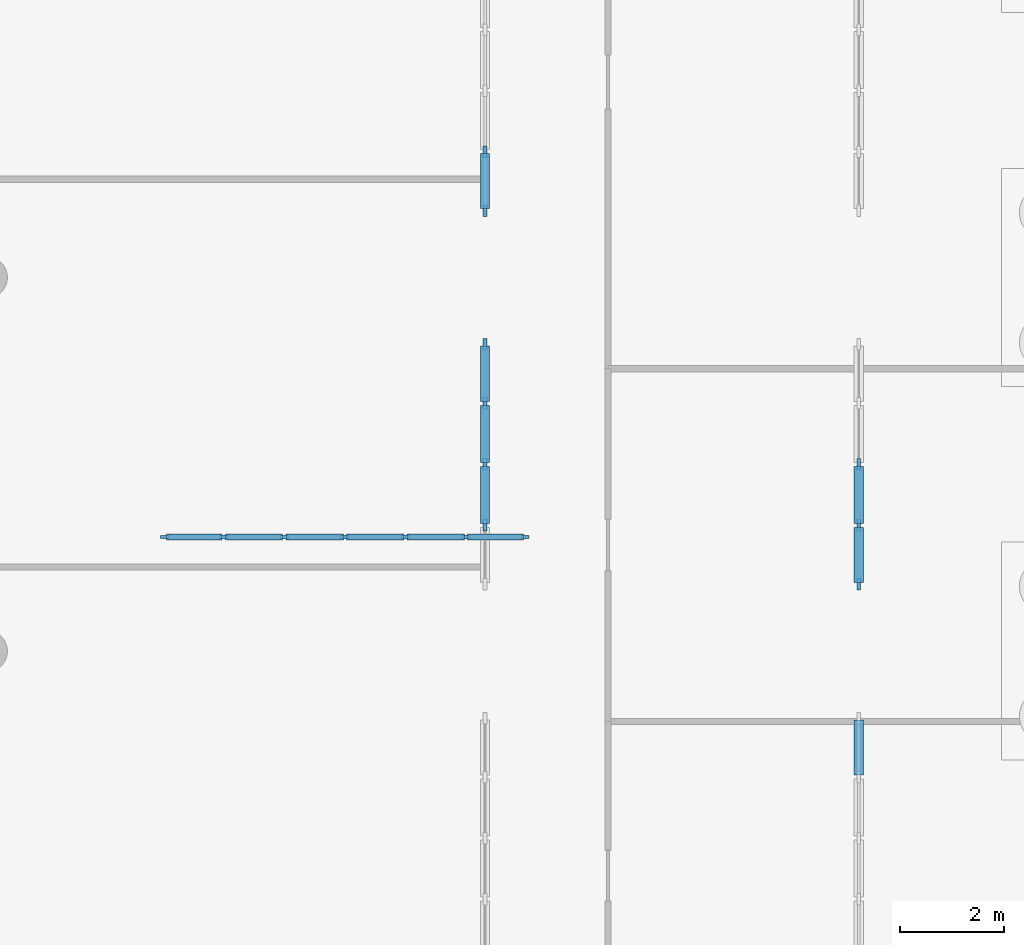
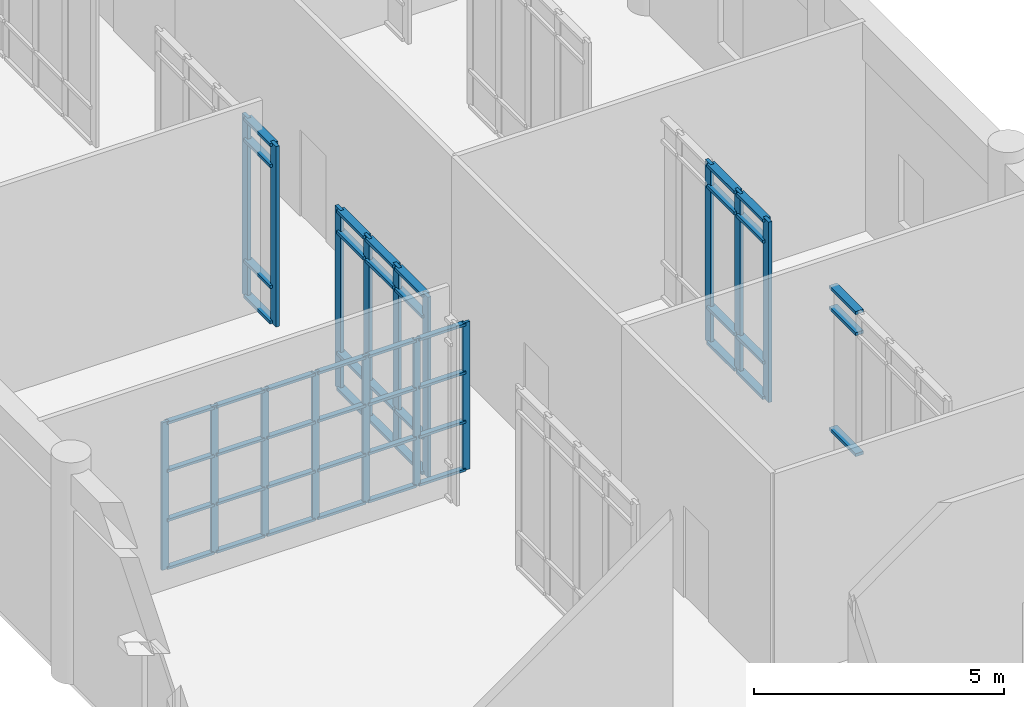
# One storey, part 19 of 100: 67 members, 5 elements without a shape of their own.
"""IFC4 building model written with IfcOpenShell, lengths in metres."""

from ifc_helpers import new_model, si_unit, direction, frame, origin, origin_2d, place, context, subcontext, project, spatial, rectangle, extrude, material, material_profile, profile_set, type_object, element, aggregate, save


model = new_model("IFC4")

# Units and contexts
model_context = context("Model", 3, precision=1e-05, world=origin(), true_north=direction((0.0, 1.0)))
body_context = subcontext(model_context, "Body", "Model", "MODEL_VIEW")
ifc_project = project(units=[si_unit("LENGTHUNIT", "METRE"), si_unit("AREAUNIT", "SQUARE_METRE"), si_unit("VOLUMEUNIT", "CUBIC_METRE"), si_unit("PLANEANGLEUNIT", "RADIAN"), si_unit("MASSUNIT", "GRAM", prefix="KILO")], contexts=[model_context])

# Site, building, storey
site_placement = place(None, origin())
site = spatial("IfcSite", under=ifc_project, at=site_placement, CompositionType="ELEMENT")
building_placement = place(site_placement, origin())
building = spatial("IfcBuilding", under=site, at=building_placement, Name="Mithqara Police Headquarters", CompositionType="ELEMENT")
storey_placement = place(building_placement, origin())
storey = spatial("IfcBuildingStorey", under=building, at=storey_placement, Name="L00", CompositionType="ELEMENT", Elevation=0.0)

# Curtain wall, members
ifc_material = material(Name="Bronze anodised aluminium 6063-T6", Category="aluminium")
curtain_wall_type_1 = type_object("IfcCurtainWallType", Name="CURTAIN WALL 7000X3600", PredefinedType="USERDEFINED", material=ifc_material)
curtain_wall_1_placement = place(storey_placement, origin())
curtain_wall_1 = element("IfcCurtainWall", 1, at=curtain_wall_1_placement, inside=storey, type_object=curtain_wall_type_1, Name="L00 Unitised Glazing CW-17 (CW-INT-L00-HALL-SCR-01)", ObjectType="UNITISED GLAZING", PredefinedType="USERDEFINED")
ifc_material_profile_1 = material_profile(ifc_material, rectangle(XDim=0.06005859375, YDim=0.159912109375, at=origin_2d()), Name="CWM 60x160")
ifc_profile_set_1 = profile_set([ifc_material_profile_1], Name="Bronze anodised aluminium 6063-T6")
member_type_1 = type_object("IfcMemberType", Name="CWMULLION 60X160", PredefinedType="MULLION", material=ifc_profile_set_1)
member_1_placement = place(storey_placement, frame((76.030029296875, 52.0, 0.0), z_axis=(0.0, 0.0, 1.0), x_axis=(0.0, 1.0, 0.0)))
member_1 = element("IfcMember", 2, at=member_1_placement, type_object=member_type_1, Name="CW-17 mullion 1", PredefinedType="MULLION", context=body_context, shape_type="SweptSolid", body=[
    extrude(rectangle(XDim=0.06005859375, YDim=0.159912109375, at=origin_2d()), origin(), (0.0, 0.0, 1.0), 3.60009765625),
])
member_2_placement = place(storey_placement, frame((77.166748046875, 52.0, 0.0), z_axis=(0.0, 0.0, 1.0), x_axis=(0.0, 1.0, 0.0)))
member_2 = element("IfcMember", 3, at=member_2_placement, type_object=member_type_1, Name="CW-17 mullion 2", PredefinedType="MULLION", context=body_context, shape_type="SweptSolid", body=[
    extrude(rectangle(XDim=0.06005859375, YDim=0.159912109375, at=origin_2d()), origin(), (0.0, 0.0, 1.0), 3.60009765625),
])
member_3_placement = place(storey_placement, frame((78.333251953125, 52.0, 0.0), z_axis=(0.0, 0.0, 1.0), x_axis=(0.0, 1.0, 0.0)))
member_3 = element("IfcMember", 4, at=member_3_placement, type_object=member_type_1, Name="CW-17 mullion 3", PredefinedType="MULLION", context=body_context, shape_type="SweptSolid", body=[
    extrude(rectangle(XDim=0.06005859375, YDim=0.159912109375, at=origin_2d()), origin(), (0.0, 0.0, 1.0), 3.60009765625),
])
member_4_placement = place(storey_placement, frame((79.5, 52.0, 0.0), z_axis=(0.0, 0.0, 1.0), x_axis=(0.0, 1.0, 0.0)))
member_4 = element("IfcMember", 5, at=member_4_placement, type_object=member_type_1, Name="CW-17 mullion 4", PredefinedType="MULLION", context=body_context, shape_type="SweptSolid", body=[
    extrude(rectangle(XDim=0.06005859375, YDim=0.159912109375, at=origin_2d()), origin(), (0.0, 0.0, 1.0), 3.60009765625),
])
member_5_placement = place(storey_placement, frame((80.666748046875, 52.0, 0.0), z_axis=(0.0, 0.0, 1.0), x_axis=(0.0, 1.0, 0.0)))
member_5 = element("IfcMember", 6, at=member_5_placement, type_object=member_type_1, Name="CW-17 mullion 5", PredefinedType="MULLION", context=body_context, shape_type="SweptSolid", body=[
    extrude(rectangle(XDim=0.06005859375, YDim=0.159912109375, at=origin_2d()), origin(), (0.0, 0.0, 1.0), 3.60009765625),
])
member_6_placement = place(storey_placement, frame((81.833251953125, 52.0, 0.0), z_axis=(0.0, 0.0, 1.0), x_axis=(0.0, 1.0, 0.0)))
member_6 = element("IfcMember", 7, at=member_6_placement, type_object=member_type_1, Name="CW-17 mullion 6", PredefinedType="MULLION", context=body_context, shape_type="SweptSolid", body=[
    extrude(rectangle(XDim=0.06005859375, YDim=0.159912109375, at=origin_2d()), origin(), (0.0, 0.0, 1.0), 3.60009765625),
])
member_7_placement = place(storey_placement, frame((82.969970703125, 52.0, 0.0), z_axis=(0.0, 0.0, 1.0), x_axis=(0.0, 1.0, 0.0)))
member_7 = element("IfcMember", 8, at=member_7_placement, type_object=member_type_1, Name="CW-17 mullion 7", PredefinedType="MULLION", context=body_context, shape_type="SweptSolid", body=[
    extrude(rectangle(XDim=0.06005859375, YDim=0.159912109375, at=origin_2d()), origin(), (0.0, 0.0, 1.0), 3.60009765625),
])

curtain_wall_type_2 = type_object("IfcCurtainWallType", Name="CURTAIN WALL 4700X4400", PredefinedType="USERDEFINED", material=ifc_material)
curtain_wall_2_placement = place(storey_placement, origin())
curtain_wall_2 = element("IfcCurtainWall", 9, at=curtain_wall_2_placement, inside=storey, type_object=curtain_wall_type_2, Name="L00 Unitised Glazing CW-14 (CW-INT-L00-X11-Y07-0)", ObjectType="UNITISED GLAZING", PredefinedType="USERDEFINED")
ifc_material_profile_2 = material_profile(ifc_material, rectangle(XDim=0.074951171875, YDim=0.219970703125, at=origin_2d()), Name="CWM 75x220")
ifc_profile_set_2 = profile_set([ifc_material_profile_2], Name="Bronze anodised aluminium 6063-T6")
member_type_2 = type_object("IfcMemberType", Name="CWMULLION 75X220", PredefinedType="MULLION", material=ifc_profile_set_2)
member_8_placement = place(storey_placement, frame((82.199951171875, 52.22509765625, 0.0), z_axis=(0.0, 0.0, 1.0), x_axis=(-1.0, 0.0, 0.0)))
member_8 = element("IfcMember", 10, at=member_8_placement, type_object=member_type_2, Name="CW-14 mullion 2", PredefinedType="MULLION", context=body_context, shape_type="SweptSolid", body=[
    extrude(rectangle(XDim=0.074951171875, YDim=0.219970703125, at=origin_2d()), origin(), (0.0, 0.0, 1.0), 4.39990234375),
])
member_9_placement = place(storey_placement, frame((82.199951171875, 53.39990234375, 0.0), z_axis=(0.0, 0.0, 1.0), x_axis=(-1.0, 0.0, 0.0)))
member_9 = element("IfcMember", 11, at=member_9_placement, type_object=member_type_2, Name="CW-14 mullion 3", PredefinedType="MULLION", context=body_context, shape_type="SweptSolid", body=[
    extrude(rectangle(XDim=0.074951171875, YDim=0.219970703125, at=origin_2d()), origin(), (0.0, 0.0, 1.0), 4.39990234375),
])
member_10_placement = place(storey_placement, frame((82.199951171875, 54.574951171875, 0.0), z_axis=(0.0, 0.0, 1.0), x_axis=(-1.0, 0.0, 0.0)))
member_10 = element("IfcMember", 12, at=member_10_placement, type_object=member_type_2, Name="CW-14 mullion 4", PredefinedType="MULLION", context=body_context, shape_type="SweptSolid", body=[
    extrude(rectangle(XDim=0.074951171875, YDim=0.219970703125, at=origin_2d()), origin(), (0.0, 0.0, 1.0), 4.39990234375),
])
member_11_placement = place(storey_placement, frame((82.199951171875, 55.71240234375, 0.0), z_axis=(0.0, 0.0, 1.0), x_axis=(-1.0, 0.0, 0.0)))
member_11 = element("IfcMember", 13, at=member_11_placement, type_object=member_type_2, Name="CW-14 mullion 5", PredefinedType="MULLION", context=body_context, shape_type="SweptSolid", body=[
    extrude(rectangle(XDim=0.074951171875, YDim=0.219970703125, at=origin_2d()), origin(), (0.0, 0.0, 1.0), 4.39990234375),
])

curtain_wall_3_placement = place(storey_placement, origin())
curtain_wall_3 = element("IfcCurtainWall", 14, at=curtain_wall_3_placement, inside=storey, type_object=curtain_wall_type_2, Name="L00 Unitised Glazing CW-14 (CW-INT-L00-X11-Y08-0)", ObjectType="UNITISED GLAZING", PredefinedType="USERDEFINED")
member_12_placement = place(storey_placement, frame((82.199951171875, 58.28759765625, 0.0), z_axis=(0.0, 0.0, 1.0), x_axis=(-1.0, 0.0, 0.0)))
member_12 = element("IfcMember", 15, at=member_12_placement, type_object=member_type_2, Name="CW-14 mullion 1", PredefinedType="MULLION", context=body_context, shape_type="SweptSolid", body=[
    extrude(rectangle(XDim=0.074951171875, YDim=0.219970703125, at=origin_2d()), origin(), (0.0, 0.0, 1.0), 4.39990234375),
])
member_13_placement = place(storey_placement, frame((82.199951171875, 59.425048828125, 0.0), z_axis=(0.0, 0.0, 1.0), x_axis=(-1.0, 0.0, 0.0)))
member_13 = element("IfcMember", 16, at=member_13_placement, type_object=member_type_2, Name="CW-14 mullion 2", PredefinedType="MULLION", context=body_context, shape_type="SweptSolid", body=[
    extrude(rectangle(XDim=0.074951171875, YDim=0.219970703125, at=origin_2d()), origin(), (0.0, 0.0, 1.0), 4.39990234375),
])

curtain_wall_4_placement = place(storey_placement, origin())
curtain_wall_4 = element("IfcCurtainWall", 17, at=curtain_wall_4_placement, inside=storey, type_object=curtain_wall_type_2, Name="L00 Unitised Glazing CW-14 (CW-INT-L00-X12-Y07-0)", ObjectType="UNITISED GLAZING", PredefinedType="USERDEFINED")
member_14_placement = place(storey_placement, frame((89.39990234375, 51.08740234375, 0.0), z_axis=(0.0, 0.0, 1.0), x_axis=(-1.0, 0.0, 0.0)))
member_14 = element("IfcMember", 18, at=member_14_placement, type_object=member_type_2, Name="CW-14 mullion 1", PredefinedType="MULLION", context=body_context, shape_type="SweptSolid", body=[
    extrude(rectangle(XDim=0.074951171875, YDim=0.219970703125, at=origin_2d()), origin(), (0.0, 0.0, 1.0), 4.39990234375),
])
member_15_placement = place(storey_placement, frame((89.39990234375, 52.22509765625, 0.0), z_axis=(0.0, 0.0, 1.0), x_axis=(-1.0, 0.0, 0.0)))
member_15 = element("IfcMember", 19, at=member_15_placement, type_object=member_type_2, Name="CW-14 mullion 2", PredefinedType="MULLION", context=body_context, shape_type="SweptSolid", body=[
    extrude(rectangle(XDim=0.074951171875, YDim=0.219970703125, at=origin_2d()), origin(), (0.0, 0.0, 1.0), 4.39990234375),
])
member_16_placement = place(storey_placement, frame((89.39990234375, 53.39990234375, 0.0), z_axis=(0.0, 0.0, 1.0), x_axis=(-1.0, 0.0, 0.0)))
member_16 = element("IfcMember", 20, at=member_16_placement, type_object=member_type_2, Name="CW-14 mullion 3", PredefinedType="MULLION", context=body_context, shape_type="SweptSolid", body=[
    extrude(rectangle(XDim=0.074951171875, YDim=0.219970703125, at=origin_2d()), origin(), (0.0, 0.0, 1.0), 4.39990234375),
])

# Member
ifc_material_profile_3 = material_profile(ifc_material, rectangle(XDim=0.1201171875, YDim=0.06005859375, at=origin_2d()), Name="CWT 120x60")
ifc_profile_set_3 = profile_set([ifc_material_profile_3], Name="Bronze anodised aluminium 6063-T6")
member_type_3 = type_object("IfcMemberType", Name="CWTRANSOM 120X60", PredefinedType="USERDEFINED", material=ifc_profile_set_3)
member_17_placement = place(storey_placement, frame((76.06005859375, 52.0, 0.030029296875), z_axis=(1.0, 0.0, 0.0), x_axis=(0.0, 1.0, 0.0)))
member_17 = element("IfcMember", 21, at=member_17_placement, type_object=member_type_3, Name="CW-17 transom 1.1", ObjectType="TRANSOM", PredefinedType="USERDEFINED", context=body_context, shape_type="SweptSolid", body=[
    extrude(rectangle(XDim=0.1201171875, YDim=0.06005859375, at=origin_2d()), origin(), (0.0, 0.0, 1.0), 1.07666015625),
])

member_18_placement = place(storey_placement, frame((76.06005859375, 52.0, 1.199951171875), z_axis=(1.0, 0.0, 0.0), x_axis=(0.0, 1.0, 0.0)))
member_18 = element("IfcMember", 22, at=member_18_placement, type_object=member_type_3, Name="CW-17 transom 1.2", ObjectType="TRANSOM", PredefinedType="USERDEFINED", context=body_context, shape_type="SweptSolid", body=[
    extrude(rectangle(XDim=0.1201171875, YDim=0.06005859375, at=origin_2d()), origin(), (0.0, 0.0, 1.0), 1.07666015625),
])

member_19_placement = place(storey_placement, frame((76.06005859375, 52.0, 2.39990234375), z_axis=(1.0, 0.0, 0.0), x_axis=(0.0, 1.0, 0.0)))
member_19 = element("IfcMember", 23, at=member_19_placement, type_object=member_type_3, Name="CW-17 transom 1.3", ObjectType="TRANSOM", PredefinedType="USERDEFINED", context=body_context, shape_type="SweptSolid", body=[
    extrude(rectangle(XDim=0.1201171875, YDim=0.06005859375, at=origin_2d()), origin(), (0.0, 0.0, 1.0), 1.07666015625),
])

member_20_placement = place(storey_placement, frame((76.06005859375, 52.0, 3.570068359375), z_axis=(1.0, 0.0, 0.0), x_axis=(0.0, 1.0, 0.0)))
member_20 = element("IfcMember", 24, at=member_20_placement, type_object=member_type_3, Name="CW-17 transom 1.4", ObjectType="TRANSOM", PredefinedType="USERDEFINED", context=body_context, shape_type="SweptSolid", body=[
    extrude(rectangle(XDim=0.1201171875, YDim=0.06005859375, at=origin_2d()), origin(), (0.0, 0.0, 1.0), 1.07666015625),
])

member_21_placement = place(storey_placement, frame((77.19677734375, 52.0, 0.030029296875), z_axis=(1.0, 0.0, 0.0), x_axis=(0.0, 1.0, 0.0)))
member_21 = element("IfcMember", 25, at=member_21_placement, type_object=member_type_3, Name="CW-17 transom 2.1", ObjectType="TRANSOM", PredefinedType="USERDEFINED", context=body_context, shape_type="SweptSolid", body=[
    extrude(rectangle(XDim=0.1201171875, YDim=0.06005859375, at=origin_2d()), origin(), (0.0, 0.0, 1.0), 1.1064453125),
])

member_22_placement = place(storey_placement, frame((77.19677734375, 52.0, 1.199951171875), z_axis=(1.0, 0.0, 0.0), x_axis=(0.0, 1.0, 0.0)))
member_22 = element("IfcMember", 26, at=member_22_placement, type_object=member_type_3, Name="CW-17 transom 2.2", ObjectType="TRANSOM", PredefinedType="USERDEFINED", context=body_context, shape_type="SweptSolid", body=[
    extrude(rectangle(XDim=0.1201171875, YDim=0.06005859375, at=origin_2d()), origin(), (0.0, 0.0, 1.0), 1.1064453125),
])

member_23_placement = place(storey_placement, frame((77.19677734375, 52.0, 2.39990234375), z_axis=(1.0, 0.0, 0.0), x_axis=(0.0, 1.0, 0.0)))
member_23 = element("IfcMember", 27, at=member_23_placement, type_object=member_type_3, Name="CW-17 transom 2.3", ObjectType="TRANSOM", PredefinedType="USERDEFINED", context=body_context, shape_type="SweptSolid", body=[
    extrude(rectangle(XDim=0.1201171875, YDim=0.06005859375, at=origin_2d()), origin(), (0.0, 0.0, 1.0), 1.1064453125),
])

member_24_placement = place(storey_placement, frame((77.19677734375, 52.0, 3.570068359375), z_axis=(1.0, 0.0, 0.0), x_axis=(0.0, 1.0, 0.0)))
member_24 = element("IfcMember", 28, at=member_24_placement, type_object=member_type_3, Name="CW-17 transom 2.4", ObjectType="TRANSOM", PredefinedType="USERDEFINED", context=body_context, shape_type="SweptSolid", body=[
    extrude(rectangle(XDim=0.1201171875, YDim=0.06005859375, at=origin_2d()), origin(), (0.0, 0.0, 1.0), 1.1064453125),
])

member_25_placement = place(storey_placement, frame((78.36328125, 52.0, 0.030029296875), z_axis=(1.0, 0.0, 0.0), x_axis=(0.0, 1.0, 0.0)))
member_25 = element("IfcMember", 29, at=member_25_placement, type_object=member_type_3, Name="CW-17 transom 3.1", ObjectType="TRANSOM", PredefinedType="USERDEFINED", context=body_context, shape_type="SweptSolid", body=[
    extrude(rectangle(XDim=0.1201171875, YDim=0.06005859375, at=origin_2d()), origin(), (0.0, 0.0, 1.0), 1.106689453125),
])

member_26_placement = place(storey_placement, frame((78.36328125, 52.0, 1.199951171875), z_axis=(1.0, 0.0, 0.0), x_axis=(0.0, 1.0, 0.0)))
member_26 = element("IfcMember", 30, at=member_26_placement, type_object=member_type_3, Name="CW-17 transom 3.2", ObjectType="TRANSOM", PredefinedType="USERDEFINED", context=body_context, shape_type="SweptSolid", body=[
    extrude(rectangle(XDim=0.1201171875, YDim=0.06005859375, at=origin_2d()), origin(), (0.0, 0.0, 1.0), 1.106689453125),
])

member_27_placement = place(storey_placement, frame((78.36328125, 52.0, 2.39990234375), z_axis=(1.0, 0.0, 0.0), x_axis=(0.0, 1.0, 0.0)))
member_27 = element("IfcMember", 31, at=member_27_placement, type_object=member_type_3, Name="CW-17 transom 3.3", ObjectType="TRANSOM", PredefinedType="USERDEFINED", context=body_context, shape_type="SweptSolid", body=[
    extrude(rectangle(XDim=0.1201171875, YDim=0.06005859375, at=origin_2d()), origin(), (0.0, 0.0, 1.0), 1.106689453125),
])

member_28_placement = place(storey_placement, frame((78.36328125, 52.0, 3.570068359375), z_axis=(1.0, 0.0, 0.0), x_axis=(0.0, 1.0, 0.0)))
member_28 = element("IfcMember", 32, at=member_28_placement, type_object=member_type_3, Name="CW-17 transom 3.4", ObjectType="TRANSOM", PredefinedType="USERDEFINED", context=body_context, shape_type="SweptSolid", body=[
    extrude(rectangle(XDim=0.1201171875, YDim=0.06005859375, at=origin_2d()), origin(), (0.0, 0.0, 1.0), 1.106689453125),
])

member_29_placement = place(storey_placement, frame((79.530029296875, 52.0, 0.030029296875), z_axis=(1.0, 0.0, 0.0), x_axis=(0.0, 1.0, 0.0)))
member_29 = element("IfcMember", 33, at=member_29_placement, type_object=member_type_3, Name="CW-17 transom 4.1", ObjectType="TRANSOM", PredefinedType="USERDEFINED", context=body_context, shape_type="SweptSolid", body=[
    extrude(rectangle(XDim=0.1201171875, YDim=0.06005859375, at=origin_2d()), origin(), (0.0, 0.0, 1.0), 1.106689453125),
])

member_30_placement = place(storey_placement, frame((79.530029296875, 52.0, 1.199951171875), z_axis=(1.0, 0.0, 0.0), x_axis=(0.0, 1.0, 0.0)))
member_30 = element("IfcMember", 34, at=member_30_placement, type_object=member_type_3, Name="CW-17 transom 4.2", ObjectType="TRANSOM", PredefinedType="USERDEFINED", context=body_context, shape_type="SweptSolid", body=[
    extrude(rectangle(XDim=0.1201171875, YDim=0.06005859375, at=origin_2d()), origin(), (0.0, 0.0, 1.0), 1.106689453125),
])

member_31_placement = place(storey_placement, frame((79.530029296875, 52.0, 2.39990234375), z_axis=(1.0, 0.0, 0.0), x_axis=(0.0, 1.0, 0.0)))
member_31 = element("IfcMember", 35, at=member_31_placement, type_object=member_type_3, Name="CW-17 transom 4.3", ObjectType="TRANSOM", PredefinedType="USERDEFINED", context=body_context, shape_type="SweptSolid", body=[
    extrude(rectangle(XDim=0.1201171875, YDim=0.06005859375, at=origin_2d()), origin(), (0.0, 0.0, 1.0), 1.106689453125),
])

member_32_placement = place(storey_placement, frame((79.530029296875, 52.0, 3.570068359375), z_axis=(1.0, 0.0, 0.0), x_axis=(0.0, 1.0, 0.0)))
member_32 = element("IfcMember", 36, at=member_32_placement, type_object=member_type_3, Name="CW-17 transom 4.4", ObjectType="TRANSOM", PredefinedType="USERDEFINED", context=body_context, shape_type="SweptSolid", body=[
    extrude(rectangle(XDim=0.1201171875, YDim=0.06005859375, at=origin_2d()), origin(), (0.0, 0.0, 1.0), 1.106689453125),
])

member_33_placement = place(storey_placement, frame((80.69677734375, 52.0, 0.030029296875), z_axis=(1.0, 0.0, 0.0), x_axis=(0.0, 1.0, 0.0)))
member_33 = element("IfcMember", 37, at=member_33_placement, type_object=member_type_3, Name="CW-17 transom 5.1", ObjectType="TRANSOM", PredefinedType="USERDEFINED", context=body_context, shape_type="SweptSolid", body=[
    extrude(rectangle(XDim=0.1201171875, YDim=0.06005859375, at=origin_2d()), origin(), (0.0, 0.0, 1.0), 1.1064453125),
])

member_34_placement = place(storey_placement, frame((80.69677734375, 52.0, 1.199951171875), z_axis=(1.0, 0.0, 0.0), x_axis=(0.0, 1.0, 0.0)))
member_34 = element("IfcMember", 38, at=member_34_placement, type_object=member_type_3, Name="CW-17 transom 5.2", ObjectType="TRANSOM", PredefinedType="USERDEFINED", context=body_context, shape_type="SweptSolid", body=[
    extrude(rectangle(XDim=0.1201171875, YDim=0.06005859375, at=origin_2d()), origin(), (0.0, 0.0, 1.0), 1.1064453125),
])

member_35_placement = place(storey_placement, frame((80.69677734375, 52.0, 2.39990234375), z_axis=(1.0, 0.0, 0.0), x_axis=(0.0, 1.0, 0.0)))
member_35 = element("IfcMember", 39, at=member_35_placement, type_object=member_type_3, Name="CW-17 transom 5.3", ObjectType="TRANSOM", PredefinedType="USERDEFINED", context=body_context, shape_type="SweptSolid", body=[
    extrude(rectangle(XDim=0.1201171875, YDim=0.06005859375, at=origin_2d()), origin(), (0.0, 0.0, 1.0), 1.1064453125),
])

member_36_placement = place(storey_placement, frame((80.69677734375, 52.0, 3.570068359375), z_axis=(1.0, 0.0, 0.0), x_axis=(0.0, 1.0, 0.0)))
member_36 = element("IfcMember", 40, at=member_36_placement, type_object=member_type_3, Name="CW-17 transom 5.4", ObjectType="TRANSOM", PredefinedType="USERDEFINED", context=body_context, shape_type="SweptSolid", body=[
    extrude(rectangle(XDim=0.1201171875, YDim=0.06005859375, at=origin_2d()), origin(), (0.0, 0.0, 1.0), 1.1064453125),
])

member_37_placement = place(storey_placement, frame((81.86328125, 52.0, 0.030029296875), z_axis=(1.0, 0.0, 0.0), x_axis=(0.0, 1.0, 0.0)))
member_37 = element("IfcMember", 41, at=member_37_placement, type_object=member_type_3, Name="CW-17 transom 6.1", ObjectType="TRANSOM", PredefinedType="USERDEFINED", context=body_context, shape_type="SweptSolid", body=[
    extrude(rectangle(XDim=0.1201171875, YDim=0.06005859375, at=origin_2d()), origin(), (0.0, 0.0, 1.0), 1.07666015625),
])

member_38_placement = place(storey_placement, frame((81.86328125, 52.0, 1.199951171875), z_axis=(1.0, 0.0, 0.0), x_axis=(0.0, 1.0, 0.0)))
member_38 = element("IfcMember", 42, at=member_38_placement, type_object=member_type_3, Name="CW-17 transom 6.2", ObjectType="TRANSOM", PredefinedType="USERDEFINED", context=body_context, shape_type="SweptSolid", body=[
    extrude(rectangle(XDim=0.1201171875, YDim=0.06005859375, at=origin_2d()), origin(), (0.0, 0.0, 1.0), 1.07666015625),
])

member_39_placement = place(storey_placement, frame((81.86328125, 52.0, 2.39990234375), z_axis=(1.0, 0.0, 0.0), x_axis=(0.0, 1.0, 0.0)))
member_39 = element("IfcMember", 43, at=member_39_placement, type_object=member_type_3, Name="CW-17 transom 6.3", ObjectType="TRANSOM", PredefinedType="USERDEFINED", context=body_context, shape_type="SweptSolid", body=[
    extrude(rectangle(XDim=0.1201171875, YDim=0.06005859375, at=origin_2d()), origin(), (0.0, 0.0, 1.0), 1.07666015625),
])

member_40_placement = place(storey_placement, frame((81.86328125, 52.0, 3.570068359375), z_axis=(1.0, 0.0, 0.0), x_axis=(0.0, 1.0, 0.0)))
member_40 = element("IfcMember", 44, at=member_40_placement, type_object=member_type_3, Name="CW-17 transom 6.4", ObjectType="TRANSOM", PredefinedType="USERDEFINED", context=body_context, shape_type="SweptSolid", body=[
    extrude(rectangle(XDim=0.1201171875, YDim=0.06005859375, at=origin_2d()), origin(), (0.0, 0.0, 1.0), 1.07666015625),
])

aggregate(curtain_wall_1, [member_1, member_2, member_3, member_4, member_5, member_6, member_7, member_17, member_18, member_19, member_20, member_21, member_22, member_23, member_24, member_25, member_26, member_27, member_28, member_29, member_30, member_31, member_32, member_33, member_34, member_35, member_36, member_37, member_38, member_39, member_40])

ifc_material_profile_4 = material_profile(ifc_material, rectangle(XDim=0.179931640625, YDim=0.074951171875, at=origin_2d()), Name="CWT 180x75")
ifc_profile_set_4 = profile_set([ifc_material_profile_4], Name="Bronze anodised aluminium 6063-T6")
member_type_4 = type_object("IfcMemberType", Name="CWTRANSOM 180X75", PredefinedType="USERDEFINED", material=ifc_profile_set_4)
member_41_placement = place(storey_placement, frame((82.199951171875, 52.262451171875, 0.03759765625), z_axis=(0.0, 1.0, 0.0), x_axis=(-1.0, 0.0, 0.0)))
member_41 = element("IfcMember", 45, at=member_41_placement, type_object=member_type_4, Name="CW-14 transom 2.1", ObjectType="TRANSOM", PredefinedType="USERDEFINED", context=body_context, shape_type="SweptSolid", body=[
    extrude(rectangle(XDim=0.179931640625, YDim=0.074951171875, at=origin_2d()), origin(), (0.0, 0.0, 1.0), 1.10009765625),
])

member_42_placement = place(storey_placement, frame((82.199951171875, 52.262451171875, 0.89990234375), z_axis=(0.0, 1.0, 0.0), x_axis=(-1.0, 0.0, 0.0)))
member_42 = element("IfcMember", 46, at=member_42_placement, type_object=member_type_4, Name="CW-14 transom 2.2", ObjectType="TRANSOM", PredefinedType="USERDEFINED", context=body_context, shape_type="SweptSolid", body=[
    extrude(rectangle(XDim=0.179931640625, YDim=0.074951171875, at=origin_2d()), origin(), (0.0, 0.0, 1.0), 1.10009765625),
])

member_43_placement = place(storey_placement, frame((82.199951171875, 52.262451171875, 3.85009765625), z_axis=(0.0, 1.0, 0.0), x_axis=(-1.0, 0.0, 0.0)))
member_43 = element("IfcMember", 47, at=member_43_placement, type_object=member_type_4, Name="CW-14 transom 2.3", ObjectType="TRANSOM", PredefinedType="USERDEFINED", context=body_context, shape_type="SweptSolid", body=[
    extrude(rectangle(XDim=0.179931640625, YDim=0.074951171875, at=origin_2d()), origin(), (0.0, 0.0, 1.0), 1.10009765625),
])

member_44_placement = place(storey_placement, frame((82.199951171875, 52.262451171875, 4.362548828125), z_axis=(0.0, 1.0, 0.0), x_axis=(-1.0, 0.0, 0.0)))
member_44 = element("IfcMember", 48, at=member_44_placement, type_object=member_type_4, Name="CW-14 transom 2.4", ObjectType="TRANSOM", PredefinedType="USERDEFINED", context=body_context, shape_type="SweptSolid", body=[
    extrude(rectangle(XDim=0.179931640625, YDim=0.074951171875, at=origin_2d()), origin(), (0.0, 0.0, 1.0), 1.10009765625),
])

member_45_placement = place(storey_placement, frame((82.199951171875, 53.4375, 0.03759765625), z_axis=(0.0, 1.0, 0.0), x_axis=(-1.0, 0.0, 0.0)))
member_45 = element("IfcMember", 49, at=member_45_placement, type_object=member_type_4, Name="CW-14 transom 3.1", ObjectType="TRANSOM", PredefinedType="USERDEFINED", context=body_context, shape_type="SweptSolid", body=[
    extrude(rectangle(XDim=0.179931640625, YDim=0.074951171875, at=origin_2d()), origin(), (0.0, 0.0, 1.0), 1.10009765625),
])

member_46_placement = place(storey_placement, frame((82.199951171875, 53.4375, 0.89990234375), z_axis=(0.0, 1.0, 0.0), x_axis=(-1.0, 0.0, 0.0)))
member_46 = element("IfcMember", 50, at=member_46_placement, type_object=member_type_4, Name="CW-14 transom 3.2", ObjectType="TRANSOM", PredefinedType="USERDEFINED", context=body_context, shape_type="SweptSolid", body=[
    extrude(rectangle(XDim=0.179931640625, YDim=0.074951171875, at=origin_2d()), origin(), (0.0, 0.0, 1.0), 1.10009765625),
])

member_47_placement = place(storey_placement, frame((82.199951171875, 53.4375, 3.85009765625), z_axis=(0.0, 1.0, 0.0), x_axis=(-1.0, 0.0, 0.0)))
member_47 = element("IfcMember", 51, at=member_47_placement, type_object=member_type_4, Name="CW-14 transom 3.3", ObjectType="TRANSOM", PredefinedType="USERDEFINED", context=body_context, shape_type="SweptSolid", body=[
    extrude(rectangle(XDim=0.179931640625, YDim=0.074951171875, at=origin_2d()), origin(), (0.0, 0.0, 1.0), 1.10009765625),
])

member_48_placement = place(storey_placement, frame((82.199951171875, 53.4375, 4.362548828125), z_axis=(0.0, 1.0, 0.0), x_axis=(-1.0, 0.0, 0.0)))
member_48 = element("IfcMember", 52, at=member_48_placement, type_object=member_type_4, Name="CW-14 transom 3.4", ObjectType="TRANSOM", PredefinedType="USERDEFINED", context=body_context, shape_type="SweptSolid", body=[
    extrude(rectangle(XDim=0.179931640625, YDim=0.074951171875, at=origin_2d()), origin(), (0.0, 0.0, 1.0), 1.10009765625),
])

member_49_placement = place(storey_placement, frame((82.199951171875, 54.612548828125, 0.03759765625), z_axis=(0.0, 1.0, 0.0), x_axis=(-1.0, 0.0, 0.0)))
member_49 = element("IfcMember", 53, at=member_49_placement, type_object=member_type_4, Name="CW-14 transom 4.1", ObjectType="TRANSOM", PredefinedType="USERDEFINED", context=body_context, shape_type="SweptSolid", body=[
    extrude(rectangle(XDim=0.179931640625, YDim=0.074951171875, at=origin_2d()), origin(), (0.0, 0.0, 1.0), 1.0625),
])

member_50_placement = place(storey_placement, frame((82.199951171875, 54.612548828125, 0.89990234375), z_axis=(0.0, 1.0, 0.0), x_axis=(-1.0, 0.0, 0.0)))
member_50 = element("IfcMember", 54, at=member_50_placement, type_object=member_type_4, Name="CW-14 transom 4.2", ObjectType="TRANSOM", PredefinedType="USERDEFINED", context=body_context, shape_type="SweptSolid", body=[
    extrude(rectangle(XDim=0.179931640625, YDim=0.074951171875, at=origin_2d()), origin(), (0.0, 0.0, 1.0), 1.0625),
])

member_51_placement = place(storey_placement, frame((82.199951171875, 54.612548828125, 3.85009765625), z_axis=(0.0, 1.0, 0.0), x_axis=(-1.0, 0.0, 0.0)))
member_51 = element("IfcMember", 55, at=member_51_placement, type_object=member_type_4, Name="CW-14 transom 4.3", ObjectType="TRANSOM", PredefinedType="USERDEFINED", context=body_context, shape_type="SweptSolid", body=[
    extrude(rectangle(XDim=0.179931640625, YDim=0.074951171875, at=origin_2d()), origin(), (0.0, 0.0, 1.0), 1.0625),
])

member_52_placement = place(storey_placement, frame((82.199951171875, 54.612548828125, 4.362548828125), z_axis=(0.0, 1.0, 0.0), x_axis=(-1.0, 0.0, 0.0)))
member_52 = element("IfcMember", 56, at=member_52_placement, type_object=member_type_4, Name="CW-14 transom 4.4", ObjectType="TRANSOM", PredefinedType="USERDEFINED", context=body_context, shape_type="SweptSolid", body=[
    extrude(rectangle(XDim=0.179931640625, YDim=0.074951171875, at=origin_2d()), origin(), (0.0, 0.0, 1.0), 1.0625),
])

aggregate(curtain_wall_2, [member_8, member_9, member_10, member_11, member_41, member_42, member_43, member_44, member_45, member_46, member_47, member_48, member_49, member_50, member_51, member_52])

member_53_placement = place(storey_placement, frame((82.199951171875, 58.324951171875, 0.03759765625), z_axis=(0.0, 1.0, 0.0), x_axis=(-1.0, 0.0, 0.0)))
member_53 = element("IfcMember", 57, at=member_53_placement, type_object=member_type_4, Name="CW-14 transom 1.1", ObjectType="TRANSOM", PredefinedType="USERDEFINED", context=body_context, shape_type="SweptSolid", body=[
    extrude(rectangle(XDim=0.179931640625, YDim=0.074951171875, at=origin_2d()), origin(), (0.0, 0.0, 1.0), 1.0625),
])

member_54_placement = place(storey_placement, frame((82.199951171875, 58.324951171875, 0.89990234375), z_axis=(0.0, 1.0, 0.0), x_axis=(-1.0, 0.0, 0.0)))
member_54 = element("IfcMember", 58, at=member_54_placement, type_object=member_type_4, Name="CW-14 transom 1.2", ObjectType="TRANSOM", PredefinedType="USERDEFINED", context=body_context, shape_type="SweptSolid", body=[
    extrude(rectangle(XDim=0.179931640625, YDim=0.074951171875, at=origin_2d()), origin(), (0.0, 0.0, 1.0), 1.0625),
])

member_55_placement = place(storey_placement, frame((82.199951171875, 58.324951171875, 3.85009765625), z_axis=(0.0, 1.0, 0.0), x_axis=(-1.0, 0.0, 0.0)))
member_55 = element("IfcMember", 59, at=member_55_placement, type_object=member_type_4, Name="CW-14 transom 1.3", ObjectType="TRANSOM", PredefinedType="USERDEFINED", context=body_context, shape_type="SweptSolid", body=[
    extrude(rectangle(XDim=0.179931640625, YDim=0.074951171875, at=origin_2d()), origin(), (0.0, 0.0, 1.0), 1.0625),
])

member_56_placement = place(storey_placement, frame((82.199951171875, 58.324951171875, 4.362548828125), z_axis=(0.0, 1.0, 0.0), x_axis=(-1.0, 0.0, 0.0)))
member_56 = element("IfcMember", 60, at=member_56_placement, type_object=member_type_4, Name="CW-14 transom 1.4", ObjectType="TRANSOM", PredefinedType="USERDEFINED", context=body_context, shape_type="SweptSolid", body=[
    extrude(rectangle(XDim=0.179931640625, YDim=0.074951171875, at=origin_2d()), origin(), (0.0, 0.0, 1.0), 1.0625),
])

aggregate(curtain_wall_3, [member_12, member_13, member_53, member_54, member_55, member_56])

# Curtain wall, members
curtain_wall_5_placement = place(storey_placement, origin())
curtain_wall_5 = element("IfcCurtainWall", 61, at=curtain_wall_5_placement, inside=storey, type_object=curtain_wall_type_2, Name="L00 Unitised Glazing CW-14 (CW-INT-L00-X12-Y06-0)", ObjectType="UNITISED GLAZING", PredefinedType="USERDEFINED")
member_57_placement = place(storey_placement, frame((89.39990234375, 47.41259765625, 0.89990234375), z_axis=(0.0, 1.0, 0.0), x_axis=(-1.0, 0.0, 0.0)))
member_57 = element("IfcMember", 62, at=member_57_placement, type_object=member_type_4, Name="CW-14 transom 4.2", ObjectType="TRANSOM", PredefinedType="USERDEFINED", context=body_context, shape_type="SweptSolid", body=[
    extrude(rectangle(XDim=0.179931640625, YDim=0.074951171875, at=origin_2d()), origin(), (0.0, 0.0, 1.0), 1.0625),
])
member_58_placement = place(storey_placement, frame((89.39990234375, 47.41259765625, 3.85009765625), z_axis=(0.0, 1.0, 0.0), x_axis=(-1.0, 0.0, 0.0)))
member_58 = element("IfcMember", 63, at=member_58_placement, type_object=member_type_4, Name="CW-14 transom 4.3", ObjectType="TRANSOM", PredefinedType="USERDEFINED", context=body_context, shape_type="SweptSolid", body=[
    extrude(rectangle(XDim=0.179931640625, YDim=0.074951171875, at=origin_2d()), origin(), (0.0, 0.0, 1.0), 1.0625),
])
member_59_placement = place(storey_placement, frame((89.39990234375, 47.41259765625, 4.362548828125), z_axis=(0.0, 1.0, 0.0), x_axis=(-1.0, 0.0, 0.0)))
member_59 = element("IfcMember", 64, at=member_59_placement, type_object=member_type_4, Name="CW-14 transom 4.4", ObjectType="TRANSOM", PredefinedType="USERDEFINED", context=body_context, shape_type="SweptSolid", body=[
    extrude(rectangle(XDim=0.179931640625, YDim=0.074951171875, at=origin_2d()), origin(), (0.0, 0.0, 1.0), 1.0625),
])
aggregate(curtain_wall_5, [member_57, member_58, member_59])

# Member
member_60_placement = place(storey_placement, frame((89.39990234375, 51.125, 0.03759765625), z_axis=(0.0, 1.0, 0.0), x_axis=(-1.0, 0.0, 0.0)))
member_60 = element("IfcMember", 65, at=member_60_placement, type_object=member_type_4, Name="CW-14 transom 1.1", ObjectType="TRANSOM", PredefinedType="USERDEFINED", context=body_context, shape_type="SweptSolid", body=[
    extrude(rectangle(XDim=0.179931640625, YDim=0.074951171875, at=origin_2d()), origin(), (0.0, 0.0, 1.0), 1.0625),
])

member_61_placement = place(storey_placement, frame((89.39990234375, 51.125, 0.89990234375), z_axis=(0.0, 1.0, 0.0), x_axis=(-1.0, 0.0, 0.0)))
member_61 = element("IfcMember", 66, at=member_61_placement, type_object=member_type_4, Name="CW-14 transom 1.2", ObjectType="TRANSOM", PredefinedType="USERDEFINED", context=body_context, shape_type="SweptSolid", body=[
    extrude(rectangle(XDim=0.179931640625, YDim=0.074951171875, at=origin_2d()), origin(), (0.0, 0.0, 1.0), 1.0625),
])

member_62_placement = place(storey_placement, frame((89.39990234375, 51.125, 3.85009765625), z_axis=(0.0, 1.0, 0.0), x_axis=(-1.0, 0.0, 0.0)))
member_62 = element("IfcMember", 67, at=member_62_placement, type_object=member_type_4, Name="CW-14 transom 1.3", ObjectType="TRANSOM", PredefinedType="USERDEFINED", context=body_context, shape_type="SweptSolid", body=[
    extrude(rectangle(XDim=0.179931640625, YDim=0.074951171875, at=origin_2d()), origin(), (0.0, 0.0, 1.0), 1.0625),
])

member_63_placement = place(storey_placement, frame((89.39990234375, 51.125, 4.362548828125), z_axis=(0.0, 1.0, 0.0), x_axis=(-1.0, 0.0, 0.0)))
member_63 = element("IfcMember", 68, at=member_63_placement, type_object=member_type_4, Name="CW-14 transom 1.4", ObjectType="TRANSOM", PredefinedType="USERDEFINED", context=body_context, shape_type="SweptSolid", body=[
    extrude(rectangle(XDim=0.179931640625, YDim=0.074951171875, at=origin_2d()), origin(), (0.0, 0.0, 1.0), 1.0625),
])

member_64_placement = place(storey_placement, frame((89.39990234375, 52.262451171875, 0.03759765625), z_axis=(0.0, 1.0, 0.0), x_axis=(-1.0, 0.0, 0.0)))
member_64 = element("IfcMember", 69, at=member_64_placement, type_object=member_type_4, Name="CW-14 transom 2.1", ObjectType="TRANSOM", PredefinedType="USERDEFINED", context=body_context, shape_type="SweptSolid", body=[
    extrude(rectangle(XDim=0.179931640625, YDim=0.074951171875, at=origin_2d()), origin(), (0.0, 0.0, 1.0), 1.10009765625),
])

member_65_placement = place(storey_placement, frame((89.39990234375, 52.262451171875, 0.89990234375), z_axis=(0.0, 1.0, 0.0), x_axis=(-1.0, 0.0, 0.0)))
member_65 = element("IfcMember", 70, at=member_65_placement, type_object=member_type_4, Name="CW-14 transom 2.2", ObjectType="TRANSOM", PredefinedType="USERDEFINED", context=body_context, shape_type="SweptSolid", body=[
    extrude(rectangle(XDim=0.179931640625, YDim=0.074951171875, at=origin_2d()), origin(), (0.0, 0.0, 1.0), 1.10009765625),
])

member_66_placement = place(storey_placement, frame((89.39990234375, 52.262451171875, 3.85009765625), z_axis=(0.0, 1.0, 0.0), x_axis=(-1.0, 0.0, 0.0)))
member_66 = element("IfcMember", 71, at=member_66_placement, type_object=member_type_4, Name="CW-14 transom 2.3", ObjectType="TRANSOM", PredefinedType="USERDEFINED", context=body_context, shape_type="SweptSolid", body=[
    extrude(rectangle(XDim=0.179931640625, YDim=0.074951171875, at=origin_2d()), origin(), (0.0, 0.0, 1.0), 1.10009765625),
])

member_67_placement = place(storey_placement, frame((89.39990234375, 52.262451171875, 4.362548828125), z_axis=(0.0, 1.0, 0.0), x_axis=(-1.0, 0.0, 0.0)))
member_67 = element("IfcMember", 72, at=member_67_placement, type_object=member_type_4, Name="CW-14 transom 2.4", ObjectType="TRANSOM", PredefinedType="USERDEFINED", context=body_context, shape_type="SweptSolid", body=[
    extrude(rectangle(XDim=0.179931640625, YDim=0.074951171875, at=origin_2d()), origin(), (0.0, 0.0, 1.0), 1.10009765625),
])

aggregate(curtain_wall_4, [member_14, member_15, member_16, member_60, member_61, member_62, member_63, member_64, member_65, member_66, member_67])

save(model, "model.ifc")
